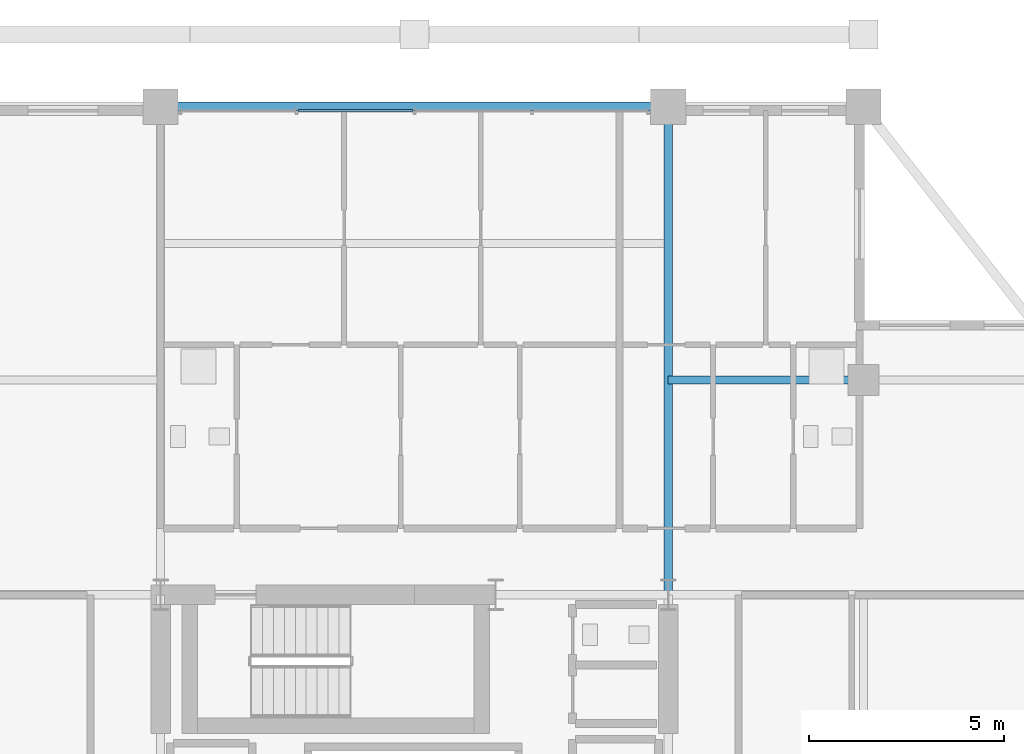
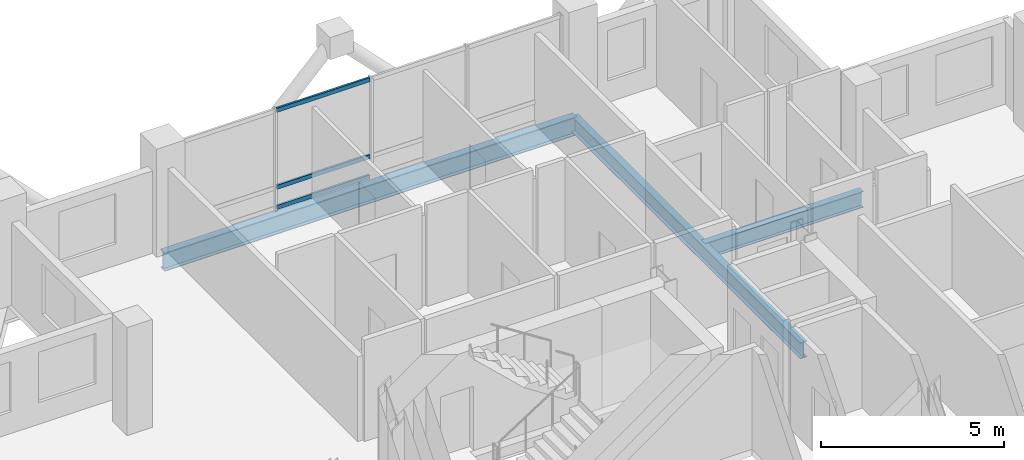
# One storey, part 15 of 24: 3 beams, 3 members, 1 element without a shape of its own.
"""IFC4 building model written with IfcOpenShell, lengths in metres."""

from ifc_helpers import new_model, si_unit, direction, frame, origin, origin_2d, place, context, subcontext, project, spatial, hollow_rectangle, i_section, extrude, material, layer, layer_set, material_profile, profile_set, type_object, element, aggregate, save


model = new_model("IFC4")

# Units and contexts
model_context = context("Model", 3, precision=1e-05, world=origin(), true_north=direction((0.0, 1.0)))
body_context = subcontext(model_context, "Body", "Model", "MODEL_VIEW")
ifc_project = project(units=[si_unit("LENGTHUNIT", "METRE"), si_unit("AREAUNIT", "SQUARE_METRE"), si_unit("VOLUMEUNIT", "CUBIC_METRE"), si_unit("PLANEANGLEUNIT", "RADIAN"), si_unit("MASSUNIT", "GRAM", prefix="KILO")], contexts=[model_context])

# Site, building, storey
site_placement = place(None, origin())
site = spatial("IfcSite", under=ifc_project, at=site_placement, CompositionType="ELEMENT")
building_placement = place(site_placement, origin())
building = spatial("IfcBuilding", under=site, at=building_placement, Name="Barlavira Tower and Art Museum", CompositionType="ELEMENT")
storey_placement = place(building_placement, frame((0.0, 0.0, 225.89990234375)))
storey = spatial("IfcBuildingStorey", under=building, at=storey_placement, Name="L58", CompositionType="ELEMENT", Elevation=225.89990234375)

# Curtain wall, members
ifc_material_1 = material(Name="Low-iron coastal laminated glass", Category="glass")
ifc_layer = layer(ifc_material_1, 0.2099609375, Name="Low-iron coastal laminated glass")
ifc_layer_set = layer_set([ifc_layer], Name="Low-iron coastal laminated glass")
curtain_wall_type = type_object("IfcCurtainWallType", Name="Pale-Metal Unitised Curtain Wall Zone 4", PredefinedType="NOTDEFINED", material=ifc_layer_set)
curtain_wall_placement = place(storey_placement, origin())
curtain_wall = element("IfcCurtainWall", 1, at=curtain_wall_placement, inside=storey, type_object=curtain_wall_type, Name="L58 Curtain Wall CW4-L58-N-B2", PredefinedType="NOTDEFINED")
ifc_material_2 = material(Name="Pale anodised aluminium", Category="aluminium")
ifc_material_profile_1 = material_profile(ifc_material_2, hollow_rectangle(XDim=0.06494140625, YDim=0.139892578125, WallThickness=0.00390625, at=origin_2d()), Name="ALU-TRAN 65x140x4")
ifc_profile_set_1 = profile_set([ifc_material_profile_1], Name="Pale anodised aluminium")
member_type = type_object("IfcMemberType", Name="Curtain Wall Pale-Metal Transom 65x140", PredefinedType="USERDEFINED", material=ifc_profile_set_1)
member_1_placement = place(storey_placement, frame((-0.044921875, 19.89990234375, 0.070068359375), z_axis=(-1.0, 0.0, 0.0), x_axis=(0.0, -1.0, 0.0)))
member_1 = element("IfcMember", 2, at=member_1_placement, type_object=member_type, Name="CW4-L58-N-B2 Transom 2.1", ObjectType="TRANSOM", PredefinedType="USERDEFINED", context=body_context, shape_type="SweptSolid", body=[
    extrude(hollow_rectangle(XDim=0.06494140625, YDim=0.139892578125, WallThickness=0.00390625, at=origin_2d()), origin(), (0.0, 0.0, 1.0), 2.925048828125),
])
member_2_placement = place(storey_placement, frame((-0.044921875, 19.89990234375, 0.744140625), z_axis=(-1.0, 0.0, 0.0), x_axis=(0.0, -1.0, 0.0)))
member_2 = element("IfcMember", 3, at=member_2_placement, type_object=member_type, Name="CW4-L58-N-B2 Transom 2.2", ObjectType="TRANSOM", PredefinedType="USERDEFINED", context=body_context, shape_type="SweptSolid", body=[
    extrude(hollow_rectangle(XDim=0.06494140625, YDim=0.139892578125, WallThickness=0.00390625, at=origin_2d()), origin(), (0.0, 0.0, 1.0), 2.925048828125),
])
member_3_placement = place(storey_placement, frame((-0.044921875, 19.89990234375, 3.31005859375), z_axis=(-1.0, 0.0, 0.0), x_axis=(0.0, -1.0, 0.0)))
member_3 = element("IfcMember", 4, at=member_3_placement, type_object=member_type, Name="CW4-L58-N-B2 Transom 2.3", ObjectType="TRANSOM", PredefinedType="USERDEFINED", context=body_context, shape_type="SweptSolid", body=[
    extrude(hollow_rectangle(XDim=0.06494140625, YDim=0.139892578125, WallThickness=0.00390625, at=origin_2d()), origin(), (0.0, 0.0, 1.0), 2.925048828125),
])
aggregate(curtain_wall, [member_1, member_2, member_3])

# Beams
ifc_material_3 = material(Name="Steel S355", Category="steel")
ifc_material_profile_2 = material_profile(ifc_material_3, i_section(OverallWidth=0.22998046875, OverallDepth=0.616943359375, WebThickness=0.01318359375, FlangeThickness=0.022216796875, at=origin_2d()), Name="W610x140.0")
ifc_profile_set_2 = profile_set([ifc_material_profile_2], Name="Steel S355")
beam_type_1 = type_object("IfcBeamType", Name="Upper Shaft Spandrel Edge Beam W610x140 Steel S355", PredefinedType="SPANDREL", material=ifc_profile_set_2)
beam_1_placement = place(storey_placement, frame((-6.5, 20.0, -0.5283203125), z_axis=(1.0, 0.0, 0.0), x_axis=(0.0, 1.0, 0.0)))
element("IfcBeam", 5, at=beam_1_placement, inside=storey, type_object=beam_type_1, Name="L58 Spandrel 10", PredefinedType="SPANDREL", context=body_context, shape_type="SweptSolid", body=[
    extrude(i_section(OverallWidth=0.22998046875, OverallDepth=0.616943359375, WebThickness=0.01318359375, FlangeThickness=0.022216796875, at=origin_2d()), origin(), (0.0, 0.0, 1.0), 13.0),
])
ifc_material_profile_3 = material_profile(ifc_material_3, i_section(OverallWidth=0.2109375, OverallDepth=0.5390625, WebThickness=0.01171875, FlangeThickness=0.018798828125, at=origin_2d()), Name="W530x109.0")
ifc_profile_set_3 = profile_set([ifc_material_profile_3], Name="Steel S355")
beam_type_2 = type_object("IfcBeamType", Name="Zone 3-4 Primary Floor Girder W530x109 Steel S355", PredefinedType="BEAM", material=ifc_profile_set_3)
beam_2_placement = place(storey_placement, frame((6.5, 7.5, -0.489501953125), z_axis=(0.0, 1.0, 0.0), x_axis=(-1.0, 0.0, 0.0)))
element("IfcBeam", 6, at=beam_2_placement, inside=storey, type_object=beam_type_2, Name="L58 Girder R-N2", PredefinedType="BEAM", context=body_context, shape_type="SweptSolid", body=[
    extrude(i_section(OverallWidth=0.2109375, OverallDepth=0.5390625, WebThickness=0.01171875, FlangeThickness=0.018798828125, at=origin_2d()), origin(), (0.0, 0.0, 1.0), 12.5),
])
beam_3_placement = place(storey_placement, frame((6.5, 13.0, -0.489501953125), z_axis=(1.0, 0.0, 0.0), x_axis=(0.0, 1.0, 0.0)))
element("IfcBeam", 7, at=beam_3_placement, inside=storey, type_object=beam_type_2, Name="L58 Girder I-N3", PredefinedType="BEAM", context=body_context, shape_type="SweptSolid", body=[
    extrude(i_section(OverallWidth=0.2109375, OverallDepth=0.5390625, WebThickness=0.01171875, FlangeThickness=0.018798828125, at=origin_2d()), origin(), (0.0, 0.0, 1.0), 5.0),
])

save(model, "model.ifc")
